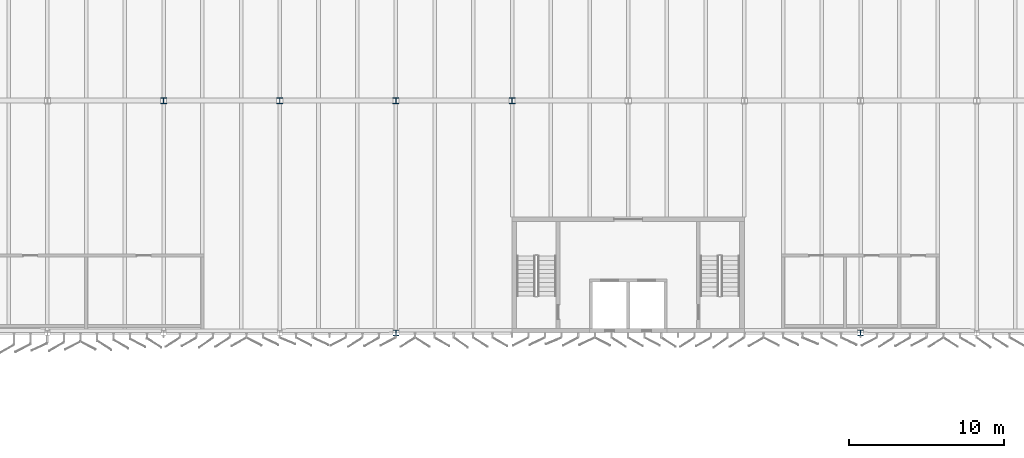
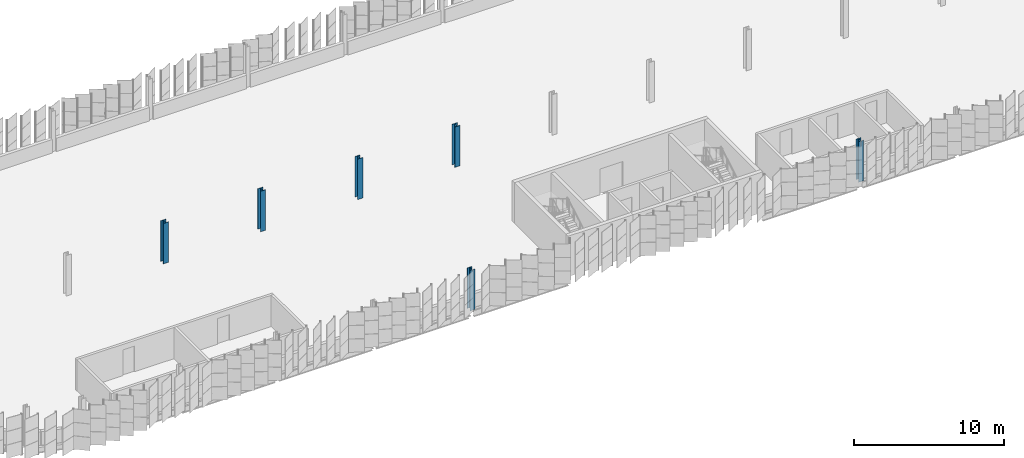
# One storey, part 15 of 214: 6 columns.
"""IFC4 building model written with IfcOpenShell, lengths in metres."""

from ifc_helpers import new_model, si_unit, direction, frame, origin, origin_2d, place, context, subcontext, project, spatial, i_section, extrude, material, material_profile, profile_set, type_object, element, save


model = new_model("IFC4")

# Units and contexts
model_context = context("Model", 3, precision=1e-05, world=origin(), true_north=direction((0.0, 1.0)))
body_context = subcontext(model_context, "Body", "Model", "MODEL_VIEW")
ifc_project = project(units=[si_unit("LENGTHUNIT", "METRE"), si_unit("AREAUNIT", "SQUARE_METRE"), si_unit("VOLUMEUNIT", "CUBIC_METRE"), si_unit("PLANEANGLEUNIT", "RADIAN"), si_unit("MASSUNIT", "GRAM", prefix="KILO")], contexts=[model_context])

# Site, building, storey
site_placement = place(None, origin())
site = spatial("IfcSite", under=ifc_project, at=site_placement, CompositionType="ELEMENT")
building_placement = place(site_placement, origin())
building = spatial("IfcBuilding", under=site, at=building_placement, Name="Parallax Yard Mobility Hub", CompositionType="ELEMENT")
storey_placement = place(building_placement, frame((0.0, 0.0, 3.300048828125)))
storey = spatial("IfcBuildingStorey", under=building, at=storey_placement, Name="L01", CompositionType="ELEMENT", Elevation=3.300048828125)

# Columns
ifc_material = material(Name="Steel ASTM A992", Category="steel")
ifc_material_profile_1 = material_profile(ifc_material, i_section(OverallWidth=0.373046875, OverallDepth=0.373046875, WebThickness=0.016357421875, FlangeThickness=0.026123046875, FilletRadius=0.01513671875, at=origin_2d()), Name="W360x196")
ifc_profile_set_1 = profile_set([ifc_material_profile_1], Name="Steel ASTM A992")
column_type_1 = type_object("IfcColumnType", Name="W360x196 column", PredefinedType="COLUMN", material=ifc_profile_set_1)
for number, where, z_axis, x_axis, name in (
    (1, (60.0, 112.5, 0.0), (0.0, 0.0, 1.0), (1.0, 0.0, 0.0), "Column C8 level L01 at R/9 of ramped parking decks"),
    (2, (90.0, 112.5, 0.0), (0.0, 0.0, 1.0), (1.0, 0.0, 0.0), "Column C8 level L01 at R/13 of ramped parking decks"),
):
    element("IfcColumn", number, at=place(storey_placement, frame(where, z_axis=z_axis, x_axis=x_axis)), inside=storey, type_object=column_type_1, Name=name, PredefinedType="COLUMN", context=body_context, shape_type="SweptSolid", body=[
        extrude(i_section(OverallWidth=0.373046875, OverallDepth=0.373046875, WebThickness=0.016357421875, FlangeThickness=0.026123046875, FilletRadius=0.01513671875, at=origin_2d()), origin(), (0.0, 0.0, 1.0), 3.300048828125),
    ])
ifc_material_profile_2 = material_profile(ifc_material, i_section(OverallWidth=0.39404296875, OverallDepth=0.3759765625, WebThickness=0.017333984375, FlangeThickness=0.027587890625, FilletRadius=0.01513671875, at=origin_2d()), Name="W360x216")
ifc_profile_set_2 = profile_set([ifc_material_profile_2], Name="Steel ASTM A992")
column_type_2 = type_object("IfcColumnType", Name="W360x216 column", PredefinedType="COLUMN", material=ifc_profile_set_2)
for number, where, z_axis, x_axis, name in (
    (3, (45.0, 127.5, 0.0), (0.0, 0.0, 1.0), (1.0, 0.0, 0.0), "Column C9 level L01 at T/7 of ramped parking decks"),
    (4, (52.5, 127.5, 0.0), (0.0, 0.0, 1.0), (1.0, 0.0, 0.0), "Column C9 level L01 at T/8 of ramped parking decks"),
    (5, (60.0, 127.5, 0.0), (0.0, 0.0, 1.0), (1.0, 0.0, 0.0), "Column C9 level L01 at T/9 of ramped parking decks"),
):
    element("IfcColumn", number, at=place(storey_placement, frame(where, z_axis=z_axis, x_axis=x_axis)), inside=storey, type_object=column_type_2, Name=name, PredefinedType="COLUMN", context=body_context, shape_type="SweptSolid", body=[
        extrude(i_section(OverallWidth=0.39404296875, OverallDepth=0.3759765625, WebThickness=0.017333984375, FlangeThickness=0.027587890625, FilletRadius=0.01513671875, at=origin_2d()), origin(), (0.0, 0.0, 1.0), 3.300048828125),
    ])
ifc_material_profile_3 = material_profile(ifc_material, i_section(OverallWidth=0.39599609375, OverallDepth=0.381103515625, WebThickness=0.018798828125, FlangeThickness=0.0302734375, FilletRadius=0.015380859375, at=origin_2d()), Name="W360x237")
ifc_profile_set_3 = profile_set([ifc_material_profile_3], Name="Steel ASTM A992")
column_type_3 = type_object("IfcColumnType", Name="W360x237 column", PredefinedType="COLUMN", material=ifc_profile_set_3)
column_placement = place(storey_placement, frame((67.5, 127.5, 0.0), z_axis=(0.0, 0.0, 1.0), x_axis=(1.0, 0.0, 0.0)))
element("IfcColumn", 6, at=column_placement, inside=storey, type_object=column_type_3, Name="Column C10 level L01 at T/10 of ramped parking decks", PredefinedType="COLUMN", context=body_context, shape_type="SweptSolid", body=[
    extrude(i_section(OverallWidth=0.39599609375, OverallDepth=0.381103515625, WebThickness=0.018798828125, FlangeThickness=0.0302734375, FilletRadius=0.015380859375, at=origin_2d()), origin(), (0.0, 0.0, 1.0), 3.300048828125),
])

save(model, "model.ifc")
